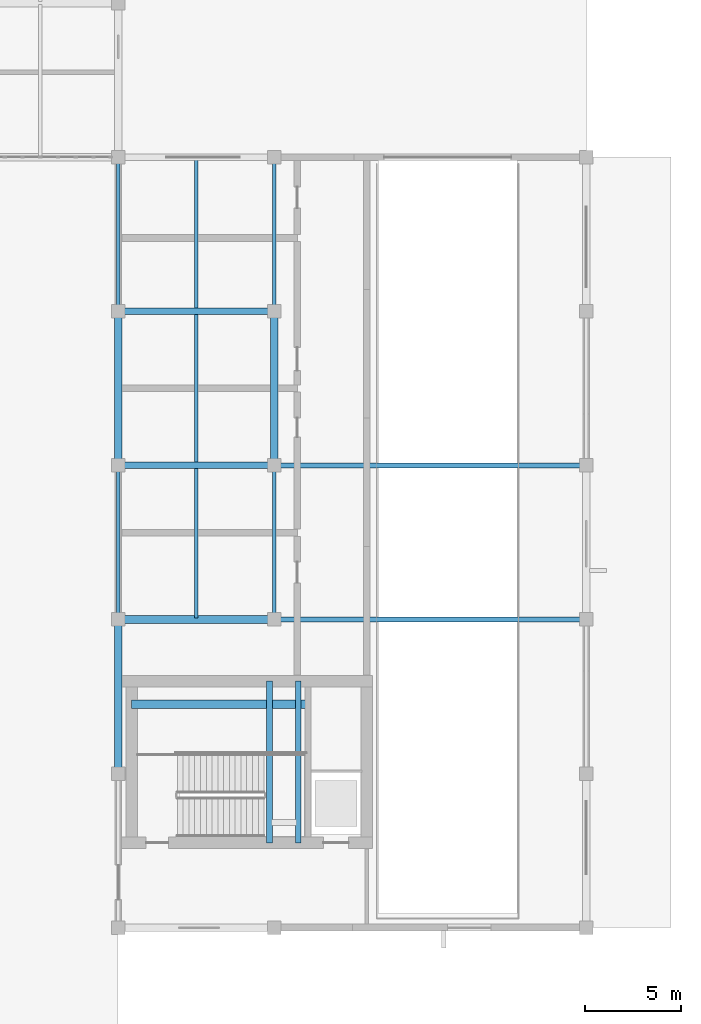
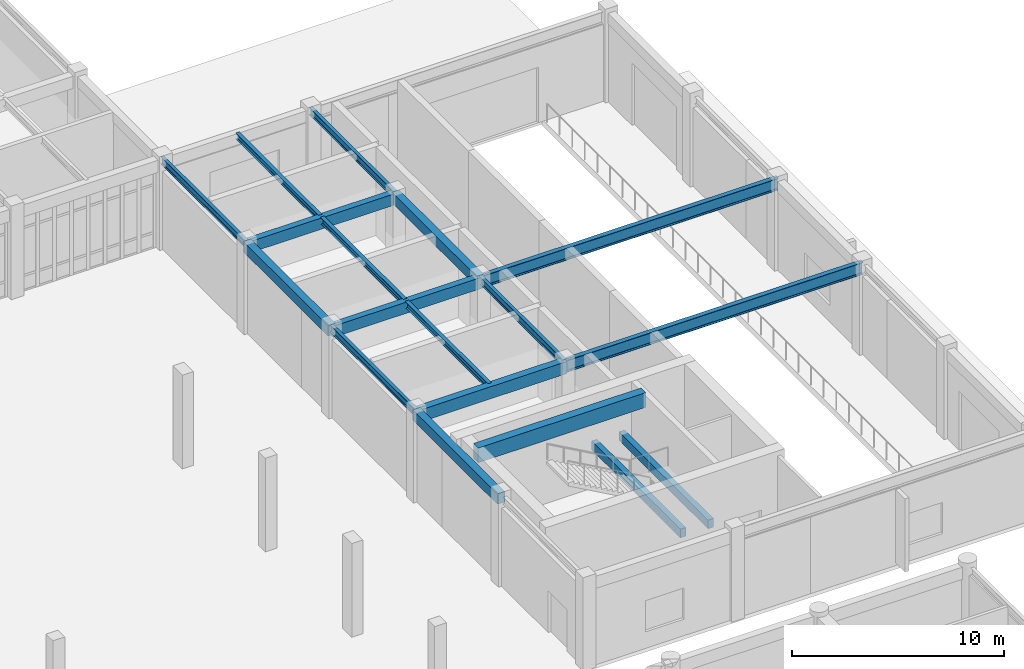
# One storey, part 16 of 62: 18 beams.
"""IFC4 building model written with IfcOpenShell, lengths in metres."""

from ifc_helpers import new_model, si_unit, direction, frame, origin, origin_2d, place, context, subcontext, project, spatial, rectangle, i_section, extrude, material, material_profile, profile_set, type_object, element, save


model = new_model("IFC4")

# Units and contexts
model_context = context("Model", 3, precision=1e-05, world=origin(), true_north=direction((0.0, 1.0)))
body_context = subcontext(model_context, "Body", "Model", "MODEL_VIEW")
ifc_project = project(units=[si_unit("LENGTHUNIT", "METRE"), si_unit("AREAUNIT", "SQUARE_METRE"), si_unit("VOLUMEUNIT", "CUBIC_METRE"), si_unit("PLANEANGLEUNIT", "RADIAN"), si_unit("MASSUNIT", "GRAM", prefix="KILO")], contexts=[model_context])

# Site, building, storey
site_placement = place(None, origin())
site = spatial("IfcSite", under=ifc_project, at=site_placement, CompositionType="ELEMENT")
building_placement = place(site_placement, origin())
building = spatial("IfcBuilding", under=site, at=building_placement, Name="Tarnveldt Square Police Headquarters", CompositionType="ELEMENT")
storey_placement = place(building_placement, origin())
storey = spatial("IfcBuildingStorey", under=building, at=storey_placement, Name="L00", CompositionType="ELEMENT", Elevation=0.0)

# Beams
ifc_material_1 = material(Name="Concrete 50 MPa", Category="concrete")
ifc_material_profile_1 = material_profile(ifc_material_1, rectangle(XDim=0.449951171875, YDim=0.85009765625, at=origin_2d()), Name="RC-CB450x850")
ifc_profile_set_1 = profile_set([ifc_material_profile_1], Name="Concrete 50 MPa")
beam_type_1 = type_object("IfcBeamType", Name="BM-CB450x850", PredefinedType="BEAM", material=ifc_profile_set_1)
beam_1_placement = place(storey_placement, frame((106.0, 67.60009765625, 4.97509765625), z_axis=(1.0, 0.0, 0.0), x_axis=(0.0, 1.0, 0.0)))
element("IfcBeam", 1, at=beam_1_placement, inside=storey, type_object=beam_type_1, Name="Core K4 East Custody and Tactical Core L00 Ductile Coupling Beam", PredefinedType="BEAM", context=body_context, shape_type="SweptSolid", body=[
    extrude(rectangle(XDim=0.449951171875, YDim=0.85009765625, at=origin_2d()), origin(), (0.0, 0.0, 1.0), 9.14990234375),
])
ifc_material_2 = material(Name="Concrete 40 MPa", Category="concrete")
ifc_material_profile_2 = material_profile(ifc_material_2, rectangle(XDim=0.300048828125, YDim=0.5, at=origin_2d()), Name="RC-B300x500")
ifc_profile_set_2 = profile_set([ifc_material_profile_2], Name="Concrete 40 MPa")
beam_type_2 = type_object("IfcBeamType", Name="BM-RC300x500", PredefinedType="BEAM", material=ifc_profile_set_2)
for number, where, z_axis, x_axis, name in (
    (2, (113.14990234375, 60.39990234375, 2.25), (0.0, 1.0, 0.0), (-1.0, 0.0, 0.0), "ST4 L00 Half-Landing Support Beam 1"),
    (3, (114.64990234375, 60.39990234375, 2.25), (0.0, 1.0, 0.0), (-1.0, 0.0, 0.0), "ST4 L00 Half-Landing Transverse Support Beam"),
):
    element("IfcBeam", number, at=place(storey_placement, frame(where, z_axis=z_axis, x_axis=x_axis)), inside=storey, type_object=beam_type_2, Name=name, PredefinedType="BEAM", context=body_context, shape_type="SweptSolid", body=[
        extrude(rectangle(XDim=0.300048828125, YDim=0.5, at=origin_2d()), origin(), (0.0, 0.0, 1.0), 8.400146484375),
    ])
ifc_material_profile_3 = material_profile(ifc_material_2, rectangle(XDim=0.39990234375, YDim=0.60009765625, at=origin_2d()), Name="RC-B400x600")
ifc_profile_set_3 = profile_set([ifc_material_profile_3], Name="Concrete 40 MPa")
beam_type_3 = type_object("IfcBeamType", Name="BM-RC400x600", PredefinedType="BEAM", material=ifc_profile_set_3)
for number, where, z_axis, x_axis, name in (
    (4, (105.300048828125, 64.0, 4.820068359375), (0.0, 1.0, 0.0), (-1.0, 0.0, 0.0), "L01 Grid Girder Y-0413"),
    (5, (105.300048828125, 80.0, 4.820068359375), (0.0, 1.0, 0.0), (-1.0, 0.0, 0.0), "L01 Grid Girder Y-0415"),
    (6, (113.39990234375, 80.0, 4.820068359375), (0.0, 1.0, 0.0), (-1.0, 0.0, 0.0), "L01 Grid Girder Y-0421"),
):
    element("IfcBeam", number, at=place(storey_placement, frame(where, z_axis=z_axis, x_axis=x_axis)), inside=storey, type_object=beam_type_3, Name=name, PredefinedType="BEAM", context=body_context, shape_type="SweptSolid", body=[
        extrude(rectangle(XDim=0.39990234375, YDim=0.60009765625, at=origin_2d()), origin(), (0.0, 0.0, 1.0), 8.0),
    ])
ifc_material_profile_4 = material_profile(ifc_material_2, rectangle(XDim=0.39990234375, YDim=0.699951171875, at=origin_2d()), Name="RC-B400x700")
ifc_profile_set_4 = profile_set([ifc_material_profile_4], Name="Concrete 40 MPa")
beam_type_4 = type_object("IfcBeamType", Name="BM-RC400x700", PredefinedType="BEAM", material=ifc_profile_set_4)
beam_2_placement = place(storey_placement, frame((105.300048828125, 72.0, 4.77001953125), z_axis=(1.0, 0.0, 0.0), x_axis=(0.0, 1.0, 0.0)))
element("IfcBeam", 7, at=beam_2_placement, inside=storey, type_object=beam_type_4, Name="L01 Grid Girder X-0293", PredefinedType="BEAM", context=body_context, shape_type="SweptSolid", body=[
    extrude(rectangle(XDim=0.39990234375, YDim=0.699951171875, at=origin_2d()), origin(), (0.0, 0.0, 1.0), 8.099853515625),
])
ifc_material_profile_5 = material_profile(ifc_material_2, rectangle(XDim=0.35009765625, YDim=0.64990234375, at=origin_2d()), Name="RC-SP350x650")
ifc_profile_set_5 = profile_set([ifc_material_profile_5], Name="Concrete 40 MPa")
beam_type_5 = type_object("IfcBeamType", Name="BM-SP350x650", PredefinedType="SPANDREL", material=ifc_profile_set_5)
for number, where, z_axis, x_axis, name in (
    (8, (105.300048828125, 80.0, 4.794921875), (1.0, 0.0, 0.0), (0.0, 1.0, 0.0), "L01 Grid Girder X-0298"),
    (9, (105.300048828125, 88.0, 4.794921875), (1.0, 0.0, 0.0), (0.0, 1.0, 0.0), "L01 Grid Girder X-0304"),
):
    element("IfcBeam", number, at=place(storey_placement, frame(where, z_axis=z_axis, x_axis=x_axis)), inside=storey, type_object=beam_type_5, Name=name, PredefinedType="SPANDREL", context=body_context, shape_type="SweptSolid", body=[
        extrude(rectangle(XDim=0.35009765625, YDim=0.64990234375, at=origin_2d()), origin(), (0.0, 0.0, 1.0), 8.099853515625),
    ])
ifc_material_3 = material(Name="Steel 350W", Category="steel")
ifc_material_profile_6 = material_profile(ifc_material_3, i_section(OverallWidth=0.202880859375, OverallDepth=0.346923828125, WebThickness=0.0078125, FlangeThickness=0.013427734375, FilletRadius=0.01611328125, at=origin_2d()), Name="W360x64")
ifc_profile_set_6 = profile_set([ifc_material_profile_6], Name="Steel 350W")
beam_type_6 = type_object("IfcBeamType", Name="BM-W360x64", PredefinedType="JOIST", material=ifc_profile_set_6)
beam_3_placement = place(storey_placement, frame((109.35009765625, 88.080078125, 4.946533203125), z_axis=(0.0, 1.0, 0.0), x_axis=(-1.0, 0.0, 0.0)))
element("IfcBeam", 10, at=beam_3_placement, inside=storey, type_object=beam_type_6, Name="L01 Secondary Floor Joist 0083", PredefinedType="JOIST", context=body_context, shape_type="SweptSolid", body=[
    extrude(i_section(OverallWidth=0.202880859375, OverallDepth=0.346923828125, WebThickness=0.0078125, FlangeThickness=0.013427734375, FilletRadius=0.01611328125, at=origin_2d()), origin(), (0.0, 0.0, 1.0), 7.83984375),
])
ifc_material_profile_7 = material_profile(ifc_material_3, i_section(OverallWidth=0.205078125, OverallDepth=0.35400390625, WebThickness=0.009521484375, FlangeThickness=0.016845703125, FilletRadius=0.01611328125, at=origin_2d()), Name="W360x79")
ifc_profile_set_7 = profile_set([ifc_material_profile_7], Name="Steel 350W")
beam_type_7 = type_object("IfcBeamType", Name="BM-W360x79", PredefinedType="JOIST", material=ifc_profile_set_7)
for number, where, z_axis, x_axis, name in (
    (11, (109.35009765625, 72.080078125, 4.943115234375), (0.0, 1.0, 0.0), (-1.0, 0.0, 0.0), "L01 Secondary Floor Joist 0074"),
    (12, (109.35009765625, 80.080078125, 4.943115234375), (0.0, 1.0, 0.0), (-1.0, 0.0, 0.0), "L01 Secondary Floor Joist 0078"),
):
    element("IfcBeam", number, at=place(storey_placement, frame(where, z_axis=z_axis, x_axis=x_axis)), inside=storey, type_object=beam_type_7, Name=name, PredefinedType="JOIST", context=body_context, shape_type="SweptSolid", body=[
        extrude(i_section(OverallWidth=0.205078125, OverallDepth=0.35400390625, WebThickness=0.009521484375, FlangeThickness=0.016845703125, FilletRadius=0.01611328125, at=origin_2d()), origin(), (0.0, 0.0, 1.0), 7.83984375),
    ])
ifc_material_profile_8 = material_profile(ifc_material_3, i_section(OverallWidth=0.180908203125, OverallDepth=0.4169921875, WebThickness=0.010986328125, FlangeThickness=0.018310546875, FilletRadius=0.01611328125, at=origin_2d()), Name="W410x85")
ifc_profile_set_8 = profile_set([ifc_material_profile_8], Name="Steel 350W")
beam_type_8 = type_object("IfcBeamType", Name="BM-W410x85", PredefinedType="BEAM", material=ifc_profile_set_8)
for number, where, z_axis, x_axis, name in (
    (13, (105.300048828125, 72.0, 4.91162109375), (0.0, 1.0, 0.0), (-1.0, 0.0, 0.0), "L01 Grid Girder Y-0414"),
    (14, (105.300048828125, 88.0, 4.91162109375), (0.0, 1.0, 0.0), (-1.0, 0.0, 0.0), "L01 Grid Girder Y-0416"),
    (15, (113.39990234375, 72.0, 4.91162109375), (0.0, 1.0, 0.0), (-1.0, 0.0, 0.0), "L01 Grid Girder Y-0420"),
    (16, (113.39990234375, 88.0, 4.91162109375), (0.0, 1.0, 0.0), (-1.0, 0.0, 0.0), "L01 Grid Girder Y-0422"),
):
    element("IfcBeam", number, at=place(storey_placement, frame(where, z_axis=z_axis, x_axis=x_axis)), inside=storey, type_object=beam_type_8, Name=name, PredefinedType="BEAM", context=body_context, shape_type="SweptSolid", body=[
        extrude(i_section(OverallWidth=0.180908203125, OverallDepth=0.4169921875, WebThickness=0.010986328125, FlangeThickness=0.018310546875, FilletRadius=0.01611328125, at=origin_2d()), origin(), (0.0, 0.0, 1.0), 8.0),
    ])
ifc_material_profile_9 = material_profile(ifc_material_3, i_section(OverallWidth=0.25390625, OverallDepth=0.68798828125, WebThickness=0.01318359375, FlangeThickness=0.02099609375, FilletRadius=0.02001953125, at=origin_2d()), Name="W690x152")
ifc_profile_set_9 = profile_set([ifc_material_profile_9], Name="Steel 350W")
beam_type_9 = type_object("IfcBeamType", Name="BM-W690x152", PredefinedType="BEAM", material=ifc_profile_set_9)
for number, where, z_axis, x_axis, name in (
    (17, (113.39990234375, 72.0, 4.77587890625), (1.0, 0.0, 0.0), (0.0, 1.0, 0.0), "L01 Grid Girder X-0294"),
    (18, (113.39990234375, 80.0, 4.77587890625), (1.0, 0.0, 0.0), (0.0, 1.0, 0.0), "L01 Grid Girder X-0299"),
):
    element("IfcBeam", number, at=place(storey_placement, frame(where, z_axis=z_axis, x_axis=x_axis)), inside=storey, type_object=beam_type_9, Name=name, PredefinedType="BEAM", context=body_context, shape_type="SweptSolid", body=[
        extrude(i_section(OverallWidth=0.25390625, OverallDepth=0.68798828125, WebThickness=0.01318359375, FlangeThickness=0.02099609375, FilletRadius=0.02001953125, at=origin_2d()), origin(), (0.0, 0.0, 1.0), 16.2001953125),
    ])

save(model, "model.ifc")
